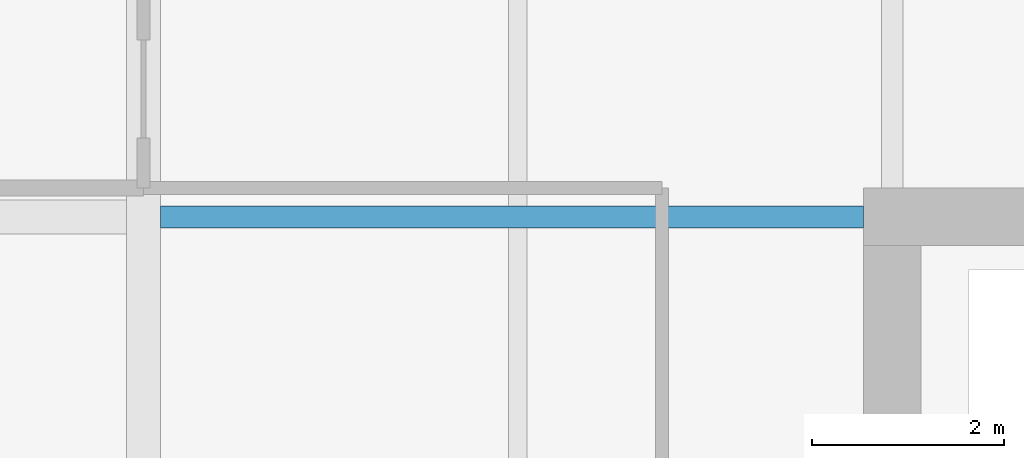
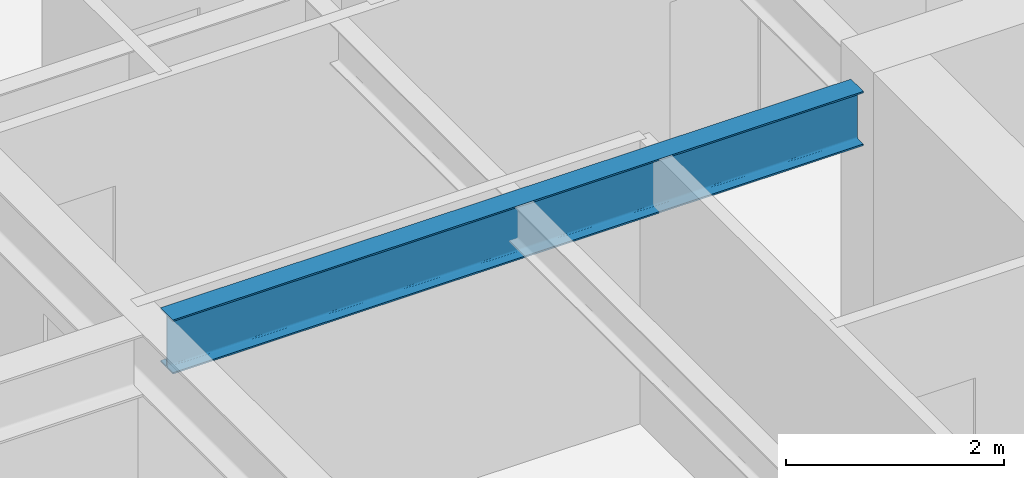
# One storey, part 17 of 35: 1 beam.
"""IFC4 building model written with IfcOpenShell, lengths in metres."""

from ifc_helpers import new_model, si_unit, direction, frame, origin, origin_2d, place, context, subcontext, project, spatial, i_section, extrude, material, material_profile, profile_set, type_object, element, save


model = new_model("IFC4")

# Units and contexts
model_context = context("Model", 3, precision=1e-05, world=origin(), true_north=direction((0.0, 1.0)))
body_context = subcontext(model_context, "Body", "Model", "MODEL_VIEW")
ifc_project = project(units=[si_unit("LENGTHUNIT", "METRE"), si_unit("AREAUNIT", "SQUARE_METRE"), si_unit("VOLUMEUNIT", "CUBIC_METRE"), si_unit("PLANEANGLEUNIT", "RADIAN"), si_unit("MASSUNIT", "GRAM", prefix="KILO")], contexts=[model_context])

# Site, building, storey
site_placement = place(None, origin())
site = spatial("IfcSite", under=ifc_project, at=site_placement, CompositionType="ELEMENT")
building_placement = place(site_placement, origin())
building = spatial("IfcBuilding", under=site, at=building_placement, Name="Drelvath Grand Hotel", CompositionType="ELEMENT")
storey_placement = place(building_placement, frame((0.0, 0.0, 137.300048828125)))
storey = spatial("IfcBuildingStorey", under=building, at=storey_placement, Name="L35", CompositionType="ELEMENT", Elevation=137.300048828125)

# Beam
ifc_material = material(Name="Steel ASTM A992 Gr 50", Category="steel")
ifc_material_profile = material_profile(ifc_material, i_section(OverallWidth=0.228271484375, OverallDepth=0.607666015625, WebThickness=0.01123046875, FlangeThickness=0.017333984375, FilletRadius=0.02001953125, at=origin_2d()), Name="W24X76")
ifc_profile_set = profile_set([ifc_material_profile], Name="Steel ASTM A992 Gr 50")
beam_type = type_object("IfcBeamType", Name="Primary Floor Girder W24X76", PredefinedType="BEAM", material=ifc_profile_set)
beam_placement = place(storey_placement, frame((-16.022705078125, 35.39990234375, 2.876220703125), z_axis=(1.0, 0.0, 0.0), x_axis=(0.0, 1.0, 0.0)))
element("IfcBeam", 1, at=beam_placement, inside=storey, type_object=beam_type, Name="L35 West Core Tie F", PredefinedType="BEAM", context=body_context, shape_type="SweptSolid", body=[
    extrude(i_section(OverallWidth=0.228271484375, OverallDepth=0.607666015625, WebThickness=0.01123046875, FlangeThickness=0.017333984375, FilletRadius=0.02001953125, at=origin_2d()), origin(), (0.0, 0.0, 1.0), 7.32275390625),
])

save(model, "model.ifc")
